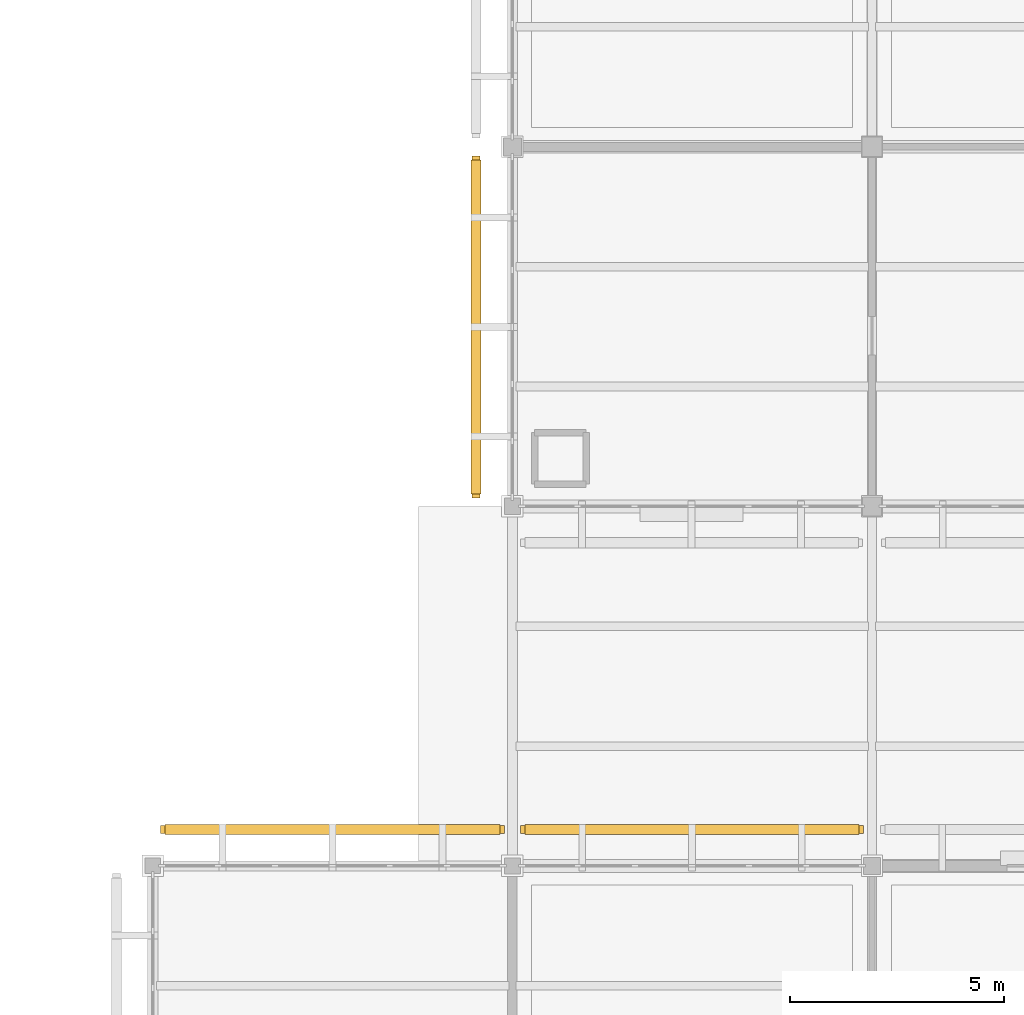
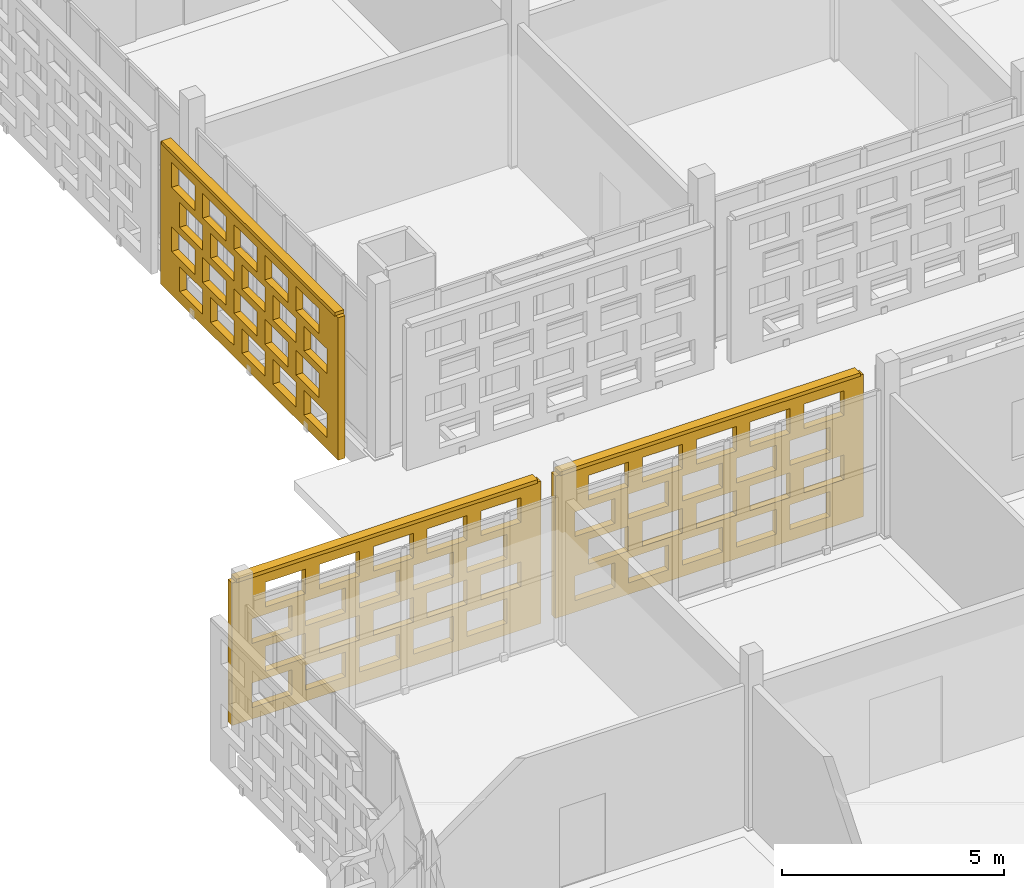
# One storey, part 189 of 203: 3 coverings, 3 shading devices, 60 openings.
"""IFC4 building model written with IfcOpenShell, lengths in metres."""

from ifc_helpers import new_model, si_unit, direction, frame, frame_2d, origin, origin_2d, place, context, subcontext, project, spatial, rectangle, extrude, material, layer, layer_set, type_object, element, save


model = new_model("IFC4")

# Units and contexts
model_context = context("Model", 3, precision=1e-05, world=origin(), true_north=direction((0.0, 1.0)))
body_context = subcontext(model_context, "Body", "Model", "MODEL_VIEW")
ifc_project = project(units=[si_unit("LENGTHUNIT", "METRE"), si_unit("AREAUNIT", "SQUARE_METRE"), si_unit("VOLUMEUNIT", "CUBIC_METRE"), si_unit("PLANEANGLEUNIT", "RADIAN"), si_unit("MASSUNIT", "GRAM", prefix="KILO")], contexts=[model_context])

# Site, building, storey
site_placement = place(None, origin())
site = spatial("IfcSite", under=ifc_project, at=site_placement, CompositionType="ELEMENT")
building_placement = place(site_placement, origin())
building = spatial("IfcBuilding", under=site, at=building_placement, Name="Varnapada Polytechnic", CompositionType="ELEMENT")
storey_placement = place(building_placement, frame((0.0, 0.0, 4.800048828125)))
storey = spatial("IfcBuildingStorey", under=building, at=storey_placement, Name="L01", CompositionType="ELEMENT", Elevation=4.800048828125)

# Covering, openings
ifc_material = material(Name="Earth-toned architectural terracotta screen block", Category="masonry")
ifc_layer_1 = layer(ifc_material, 0.1201171875)
ifc_layer_set_1 = layer_set([ifc_layer_1], Name="Earth-toned architectural terracotta screen block")
covering_type = type_object("IfcCoveringType", Name="Terracotta Screen Cladding CLD-01", PredefinedType="CLADDING", material=ifc_layer_set_1)
covering_1_placement = place(storey_placement, frame((126.179931640625, 51.25, 0.0), z_axis=(0.0, 0.0, 1.0), x_axis=(1.0, 0.0, 0.0)))
covering_1 = element("IfcCovering", 1, at=covering_1_placement, inside=storey, type_object=covering_type, Name="L01 perforated terracotta block screen (105)", PredefinedType="CLADDING", context=body_context, shape_type="SweptSolid", body=[
    extrude(rectangle(XDim=8.030029296875, YDim=0.179931640625, at=frame_2d((4.01513671875, 0.0))), origin(), (0.0, 0.0, 1.0), 3.919921875),
])
opening_1_placement = place(covering_1_placement, frame((0.514892578125, 0.0, 0.313720703125)))
element("IfcOpeningElement", 2, at=opening_1_placement, cuts=covering_1, Name="Screen perforation TBS-L01-104.1", PredefinedType="OPENING", context=body_context, shape_type="SweptSolid", body=[
    extrude(rectangle(XDim=1.0400390625, YDim=0.679931640625, at=frame_2d((0.52001953125, 0.33984375))), frame((0.0, 0.099853515625, 0.0), z_axis=(0.0, -1.0, 0.0), x_axis=(1.0, 0.0, 0.0)), (0.0, 0.0, 1.0), 0.199951171875),
])
opening_2_placement = place(covering_1_placement, frame((1.9150390625, 0.0, 0.313720703125)))
element("IfcOpeningElement", 3, at=opening_2_placement, cuts=covering_1, Name="Screen perforation TBS-L01-104.2", PredefinedType="OPENING", context=body_context, shape_type="SweptSolid", body=[
    extrude(rectangle(XDim=1.0400390625, YDim=0.679931640625, at=frame_2d((0.52001953125, 0.33984375))), frame((0.0, 0.099853515625, 0.0), z_axis=(0.0, -1.0, 0.0), x_axis=(1.0, 0.0, 0.0)), (0.0, 0.0, 1.0), 0.199951171875),
])
opening_3_placement = place(covering_1_placement, frame((3.31494140625, 0.0, 0.313720703125)))
element("IfcOpeningElement", 4, at=opening_3_placement, cuts=covering_1, Name="Screen perforation TBS-L01-104.3", PredefinedType="OPENING", context=body_context, shape_type="SweptSolid", body=[
    extrude(rectangle(XDim=1.0400390625, YDim=0.679931640625, at=frame_2d((0.52001953125, 0.33984375))), frame((0.0, 0.099853515625, 0.0), z_axis=(0.0, -1.0, 0.0), x_axis=(1.0, 0.0, 0.0)), (0.0, 0.0, 1.0), 0.199951171875),
])
opening_4_placement = place(covering_1_placement, frame((4.715087890625, 0.0, 0.313720703125)))
element("IfcOpeningElement", 5, at=opening_4_placement, cuts=covering_1, Name="Screen perforation TBS-L01-104.4", PredefinedType="OPENING", context=body_context, shape_type="SweptSolid", body=[
    extrude(rectangle(XDim=1.0400390625, YDim=0.679931640625, at=frame_2d((0.52001953125, 0.33984375))), frame((0.0, 0.099853515625, 0.0), z_axis=(0.0, -1.0, 0.0), x_axis=(1.0, 0.0, 0.0)), (0.0, 0.0, 1.0), 0.199951171875),
])
opening_5_placement = place(covering_1_placement, frame((6.114990234375, 0.0, 0.313720703125)))
element("IfcOpeningElement", 6, at=opening_5_placement, cuts=covering_1, Name="Screen perforation TBS-L01-104.5", PredefinedType="OPENING", context=body_context, shape_type="SweptSolid", body=[
    extrude(rectangle(XDim=1.0400390625, YDim=0.679931640625, at=frame_2d((0.52001953125, 0.33984375))), frame((0.0, 0.099853515625, 0.0), z_axis=(0.0, -1.0, 0.0), x_axis=(1.0, 0.0, 0.0)), (0.0, 0.0, 1.0), 0.199951171875),
])
opening_6_placement = place(covering_1_placement, frame((0.875, 0.0, 1.195556640625)))
element("IfcOpeningElement", 7, at=opening_6_placement, cuts=covering_1, Name="Screen perforation TBS-L01-104.6", PredefinedType="OPENING", context=body_context, shape_type="SweptSolid", body=[
    extrude(rectangle(XDim=1.0400390625, YDim=0.679931640625, at=frame_2d((0.52001953125, 0.33984375))), frame((0.0, 0.099853515625, 0.0), z_axis=(0.0, -1.0, 0.0), x_axis=(1.0, 0.0, 0.0)), (0.0, 0.0, 1.0), 0.199951171875),
])
opening_7_placement = place(covering_1_placement, frame((2.27490234375, 0.0, 1.195556640625)))
element("IfcOpeningElement", 8, at=opening_7_placement, cuts=covering_1, Name="Screen perforation TBS-L01-104.7", PredefinedType="OPENING", context=body_context, shape_type="SweptSolid", body=[
    extrude(rectangle(XDim=1.0400390625, YDim=0.679931640625, at=frame_2d((0.52001953125, 0.33984375))), frame((0.0, 0.099853515625, 0.0), z_axis=(0.0, -1.0, 0.0), x_axis=(1.0, 0.0, 0.0)), (0.0, 0.0, 1.0), 0.199951171875),
])
opening_8_placement = place(covering_1_placement, frame((3.675048828125, 0.0, 1.195556640625)))
element("IfcOpeningElement", 9, at=opening_8_placement, cuts=covering_1, Name="Screen perforation TBS-L01-104.8", PredefinedType="OPENING", context=body_context, shape_type="SweptSolid", body=[
    extrude(rectangle(XDim=1.0400390625, YDim=0.679931640625, at=frame_2d((0.52001953125, 0.33984375))), frame((0.0, 0.099853515625, 0.0), z_axis=(0.0, -1.0, 0.0), x_axis=(1.0, 0.0, 0.0)), (0.0, 0.0, 1.0), 0.199951171875),
])
opening_9_placement = place(covering_1_placement, frame((5.074951171875, 0.0, 1.195556640625)))
element("IfcOpeningElement", 10, at=opening_9_placement, cuts=covering_1, Name="Screen perforation TBS-L01-104.9", PredefinedType="OPENING", context=body_context, shape_type="SweptSolid", body=[
    extrude(rectangle(XDim=1.0400390625, YDim=0.679931640625, at=frame_2d((0.52001953125, 0.33984375))), frame((0.0, 0.099853515625, 0.0), z_axis=(0.0, -1.0, 0.0), x_axis=(1.0, 0.0, 0.0)), (0.0, 0.0, 1.0), 0.199951171875),
])
opening_10_placement = place(covering_1_placement, frame((6.47509765625, 0.0, 1.195556640625)))
element("IfcOpeningElement", 11, at=opening_10_placement, cuts=covering_1, Name="Screen perforation TBS-L01-104.10", PredefinedType="OPENING", context=body_context, shape_type="SweptSolid", body=[
    extrude(rectangle(XDim=1.0400390625, YDim=0.679931640625, at=frame_2d((0.52001953125, 0.33984375))), frame((0.0, 0.099853515625, 0.0), z_axis=(0.0, -1.0, 0.0), x_axis=(1.0, 0.0, 0.0)), (0.0, 0.0, 1.0), 0.199951171875),
])
opening_11_placement = place(covering_1_placement, frame((0.514892578125, 0.0, 2.07763671875)))
element("IfcOpeningElement", 12, at=opening_11_placement, cuts=covering_1, Name="Screen perforation TBS-L01-104.11", PredefinedType="OPENING", context=body_context, shape_type="SweptSolid", body=[
    extrude(rectangle(XDim=1.0400390625, YDim=0.679931640625, at=frame_2d((0.52001953125, 0.33984375))), frame((0.0, 0.099853515625, 0.0), z_axis=(0.0, -1.0, 0.0), x_axis=(1.0, 0.0, 0.0)), (0.0, 0.0, 1.0), 0.199951171875),
])
opening_12_placement = place(covering_1_placement, frame((1.9150390625, 0.0, 2.07763671875)))
element("IfcOpeningElement", 13, at=opening_12_placement, cuts=covering_1, Name="Screen perforation TBS-L01-104.12", PredefinedType="OPENING", context=body_context, shape_type="SweptSolid", body=[
    extrude(rectangle(XDim=1.0400390625, YDim=0.679931640625, at=frame_2d((0.52001953125, 0.33984375))), frame((0.0, 0.099853515625, 0.0), z_axis=(0.0, -1.0, 0.0), x_axis=(1.0, 0.0, 0.0)), (0.0, 0.0, 1.0), 0.199951171875),
])
opening_13_placement = place(covering_1_placement, frame((3.31494140625, 0.0, 2.07763671875)))
element("IfcOpeningElement", 14, at=opening_13_placement, cuts=covering_1, Name="Screen perforation TBS-L01-104.13", PredefinedType="OPENING", context=body_context, shape_type="SweptSolid", body=[
    extrude(rectangle(XDim=1.0400390625, YDim=0.679931640625, at=frame_2d((0.52001953125, 0.33984375))), frame((0.0, 0.099853515625, 0.0), z_axis=(0.0, -1.0, 0.0), x_axis=(1.0, 0.0, 0.0)), (0.0, 0.0, 1.0), 0.199951171875),
])
opening_14_placement = place(covering_1_placement, frame((4.715087890625, 0.0, 2.07763671875)))
element("IfcOpeningElement", 15, at=opening_14_placement, cuts=covering_1, Name="Screen perforation TBS-L01-104.14", PredefinedType="OPENING", context=body_context, shape_type="SweptSolid", body=[
    extrude(rectangle(XDim=1.0400390625, YDim=0.679931640625, at=frame_2d((0.52001953125, 0.33984375))), frame((0.0, 0.099853515625, 0.0), z_axis=(0.0, -1.0, 0.0), x_axis=(1.0, 0.0, 0.0)), (0.0, 0.0, 1.0), 0.199951171875),
])
opening_15_placement = place(covering_1_placement, frame((6.114990234375, 0.0, 2.07763671875)))
element("IfcOpeningElement", 16, at=opening_15_placement, cuts=covering_1, Name="Screen perforation TBS-L01-104.15", PredefinedType="OPENING", context=body_context, shape_type="SweptSolid", body=[
    extrude(rectangle(XDim=1.0400390625, YDim=0.679931640625, at=frame_2d((0.52001953125, 0.33984375))), frame((0.0, 0.099853515625, 0.0), z_axis=(0.0, -1.0, 0.0), x_axis=(1.0, 0.0, 0.0)), (0.0, 0.0, 1.0), 0.199951171875),
])
opening_16_placement = place(covering_1_placement, frame((0.875, 0.0, 2.959716796875)))
element("IfcOpeningElement", 17, at=opening_16_placement, cuts=covering_1, Name="Screen perforation TBS-L01-104.16", PredefinedType="OPENING", context=body_context, shape_type="SweptSolid", body=[
    extrude(rectangle(XDim=1.0400390625, YDim=0.679931640625, at=frame_2d((0.52001953125, 0.33984375))), frame((0.0, 0.099853515625, 0.0), z_axis=(0.0, -1.0, 0.0), x_axis=(1.0, 0.0, 0.0)), (0.0, 0.0, 1.0), 0.199951171875),
])
opening_17_placement = place(covering_1_placement, frame((2.27490234375, 0.0, 2.959716796875)))
element("IfcOpeningElement", 18, at=opening_17_placement, cuts=covering_1, Name="Screen perforation TBS-L01-104.17", PredefinedType="OPENING", context=body_context, shape_type="SweptSolid", body=[
    extrude(rectangle(XDim=1.0400390625, YDim=0.679931640625, at=frame_2d((0.52001953125, 0.33984375))), frame((0.0, 0.099853515625, 0.0), z_axis=(0.0, -1.0, 0.0), x_axis=(1.0, 0.0, 0.0)), (0.0, 0.0, 1.0), 0.199951171875),
])
opening_18_placement = place(covering_1_placement, frame((3.675048828125, 0.0, 2.959716796875)))
element("IfcOpeningElement", 19, at=opening_18_placement, cuts=covering_1, Name="Screen perforation TBS-L01-104.18", PredefinedType="OPENING", context=body_context, shape_type="SweptSolid", body=[
    extrude(rectangle(XDim=1.0400390625, YDim=0.679931640625, at=frame_2d((0.52001953125, 0.33984375))), frame((0.0, 0.099853515625, 0.0), z_axis=(0.0, -1.0, 0.0), x_axis=(1.0, 0.0, 0.0)), (0.0, 0.0, 1.0), 0.199951171875),
])
opening_19_placement = place(covering_1_placement, frame((5.074951171875, 0.0, 2.959716796875)))
element("IfcOpeningElement", 20, at=opening_19_placement, cuts=covering_1, Name="Screen perforation TBS-L01-104.19", PredefinedType="OPENING", context=body_context, shape_type="SweptSolid", body=[
    extrude(rectangle(XDim=1.0400390625, YDim=0.679931640625, at=frame_2d((0.52001953125, 0.33984375))), frame((0.0, 0.099853515625, 0.0), z_axis=(0.0, -1.0, 0.0), x_axis=(1.0, 0.0, 0.0)), (0.0, 0.0, 1.0), 0.199951171875),
])
opening_20_placement = place(covering_1_placement, frame((6.47509765625, 0.0, 2.959716796875)))
element("IfcOpeningElement", 21, at=opening_20_placement, cuts=covering_1, Name="Screen perforation TBS-L01-104.20", PredefinedType="OPENING", context=body_context, shape_type="SweptSolid", body=[
    extrude(rectangle(XDim=1.0400390625, YDim=0.679931640625, at=frame_2d((0.52001953125, 0.33984375))), frame((0.0, 0.099853515625, 0.0), z_axis=(0.0, -1.0, 0.0), x_axis=(1.0, 0.0, 0.0)), (0.0, 0.0, 1.0), 0.199951171875),
])

covering_2_placement = place(storey_placement, frame((134.590087890625, 51.25, 0.0), z_axis=(0.0, 0.0, 1.0), x_axis=(1.0, 0.0, 0.0)))
covering_2 = element("IfcCovering", 22, at=covering_2_placement, inside=storey, type_object=covering_type, Name="L01 perforated terracotta block screen (114)", PredefinedType="CLADDING", context=body_context, shape_type="SweptSolid", body=[
    extrude(rectangle(XDim=8.010009765625, YDim=0.179931640625, at=frame_2d((4.0048828125, 0.0))), origin(), (0.0, 0.0, 1.0), 3.919921875),
])
opening_21_placement = place(covering_2_placement, frame((0.5048828125, 0.0, 0.313720703125)))
element("IfcOpeningElement", 23, at=opening_21_placement, cuts=covering_2, Name="Screen perforation TBS-L01-113.1", PredefinedType="OPENING", context=body_context, shape_type="SweptSolid", body=[
    extrude(rectangle(XDim=1.0400390625, YDim=0.679931640625, at=frame_2d((0.52001953125, 0.33984375))), frame((0.0, 0.099853515625, 0.0), z_axis=(0.0, -1.0, 0.0), x_axis=(1.0, 0.0, 0.0)), (0.0, 0.0, 1.0), 0.199951171875),
])
opening_22_placement = place(covering_2_placement, frame((1.905029296875, 0.0, 0.313720703125)))
element("IfcOpeningElement", 24, at=opening_22_placement, cuts=covering_2, Name="Screen perforation TBS-L01-113.2", PredefinedType="OPENING", context=body_context, shape_type="SweptSolid", body=[
    extrude(rectangle(XDim=1.0400390625, YDim=0.679931640625, at=frame_2d((0.52001953125, 0.33984375))), frame((0.0, 0.099853515625, 0.0), z_axis=(0.0, -1.0, 0.0), x_axis=(1.0, 0.0, 0.0)), (0.0, 0.0, 1.0), 0.199951171875),
])
opening_23_placement = place(covering_2_placement, frame((3.304931640625, 0.0, 0.313720703125)))
element("IfcOpeningElement", 25, at=opening_23_placement, cuts=covering_2, Name="Screen perforation TBS-L01-113.3", PredefinedType="OPENING", context=body_context, shape_type="SweptSolid", body=[
    extrude(rectangle(XDim=1.0400390625, YDim=0.679931640625, at=frame_2d((0.52001953125, 0.33984375))), frame((0.0, 0.099853515625, 0.0), z_axis=(0.0, -1.0, 0.0), x_axis=(1.0, 0.0, 0.0)), (0.0, 0.0, 1.0), 0.199951171875),
])
opening_24_placement = place(covering_2_placement, frame((4.705078125, 0.0, 0.313720703125)))
element("IfcOpeningElement", 26, at=opening_24_placement, cuts=covering_2, Name="Screen perforation TBS-L01-113.4", PredefinedType="OPENING", context=body_context, shape_type="SweptSolid", body=[
    extrude(rectangle(XDim=1.0400390625, YDim=0.679931640625, at=frame_2d((0.52001953125, 0.33984375))), frame((0.0, 0.099853515625, 0.0), z_axis=(0.0, -1.0, 0.0), x_axis=(1.0, 0.0, 0.0)), (0.0, 0.0, 1.0), 0.199951171875),
])
opening_25_placement = place(covering_2_placement, frame((6.10498046875, 0.0, 0.313720703125)))
element("IfcOpeningElement", 27, at=opening_25_placement, cuts=covering_2, Name="Screen perforation TBS-L01-113.5", PredefinedType="OPENING", context=body_context, shape_type="SweptSolid", body=[
    extrude(rectangle(XDim=1.0400390625, YDim=0.679931640625, at=frame_2d((0.52001953125, 0.33984375))), frame((0.0, 0.099853515625, 0.0), z_axis=(0.0, -1.0, 0.0), x_axis=(1.0, 0.0, 0.0)), (0.0, 0.0, 1.0), 0.199951171875),
])
opening_26_placement = place(covering_2_placement, frame((0.864990234375, 0.0, 1.195556640625)))
element("IfcOpeningElement", 28, at=opening_26_placement, cuts=covering_2, Name="Screen perforation TBS-L01-113.6", PredefinedType="OPENING", context=body_context, shape_type="SweptSolid", body=[
    extrude(rectangle(XDim=1.0400390625, YDim=0.679931640625, at=frame_2d((0.52001953125, 0.33984375))), frame((0.0, 0.099853515625, 0.0), z_axis=(0.0, -1.0, 0.0), x_axis=(1.0, 0.0, 0.0)), (0.0, 0.0, 1.0), 0.199951171875),
])
opening_27_placement = place(covering_2_placement, frame((2.264892578125, 0.0, 1.195556640625)))
element("IfcOpeningElement", 29, at=opening_27_placement, cuts=covering_2, Name="Screen perforation TBS-L01-113.7", PredefinedType="OPENING", context=body_context, shape_type="SweptSolid", body=[
    extrude(rectangle(XDim=1.0400390625, YDim=0.679931640625, at=frame_2d((0.52001953125, 0.33984375))), frame((0.0, 0.099853515625, 0.0), z_axis=(0.0, -1.0, 0.0), x_axis=(1.0, 0.0, 0.0)), (0.0, 0.0, 1.0), 0.199951171875),
])
opening_28_placement = place(covering_2_placement, frame((3.6650390625, 0.0, 1.195556640625)))
element("IfcOpeningElement", 30, at=opening_28_placement, cuts=covering_2, Name="Screen perforation TBS-L01-113.8", PredefinedType="OPENING", context=body_context, shape_type="SweptSolid", body=[
    extrude(rectangle(XDim=1.0400390625, YDim=0.679931640625, at=frame_2d((0.52001953125, 0.33984375))), frame((0.0, 0.099853515625, 0.0), z_axis=(0.0, -1.0, 0.0), x_axis=(1.0, 0.0, 0.0)), (0.0, 0.0, 1.0), 0.199951171875),
])
opening_29_placement = place(covering_2_placement, frame((5.06494140625, 0.0, 1.195556640625)))
element("IfcOpeningElement", 31, at=opening_29_placement, cuts=covering_2, Name="Screen perforation TBS-L01-113.9", PredefinedType="OPENING", context=body_context, shape_type="SweptSolid", body=[
    extrude(rectangle(XDim=1.0400390625, YDim=0.679931640625, at=frame_2d((0.52001953125, 0.33984375))), frame((0.0, 0.099853515625, 0.0), z_axis=(0.0, -1.0, 0.0), x_axis=(1.0, 0.0, 0.0)), (0.0, 0.0, 1.0), 0.199951171875),
])
opening_30_placement = place(covering_2_placement, frame((6.465087890625, 0.0, 1.195556640625)))
element("IfcOpeningElement", 32, at=opening_30_placement, cuts=covering_2, Name="Screen perforation TBS-L01-113.10", PredefinedType="OPENING", context=body_context, shape_type="SweptSolid", body=[
    extrude(rectangle(XDim=1.0400390625, YDim=0.679931640625, at=frame_2d((0.52001953125, 0.33984375))), frame((0.0, 0.099853515625, 0.0), z_axis=(0.0, -1.0, 0.0), x_axis=(1.0, 0.0, 0.0)), (0.0, 0.0, 1.0), 0.199951171875),
])
opening_31_placement = place(covering_2_placement, frame((0.5048828125, 0.0, 2.07763671875)))
element("IfcOpeningElement", 33, at=opening_31_placement, cuts=covering_2, Name="Screen perforation TBS-L01-113.11", PredefinedType="OPENING", context=body_context, shape_type="SweptSolid", body=[
    extrude(rectangle(XDim=1.0400390625, YDim=0.679931640625, at=frame_2d((0.52001953125, 0.33984375))), frame((0.0, 0.099853515625, 0.0), z_axis=(0.0, -1.0, 0.0), x_axis=(1.0, 0.0, 0.0)), (0.0, 0.0, 1.0), 0.199951171875),
])
opening_32_placement = place(covering_2_placement, frame((1.905029296875, 0.0, 2.07763671875)))
element("IfcOpeningElement", 34, at=opening_32_placement, cuts=covering_2, Name="Screen perforation TBS-L01-113.12", PredefinedType="OPENING", context=body_context, shape_type="SweptSolid", body=[
    extrude(rectangle(XDim=1.0400390625, YDim=0.679931640625, at=frame_2d((0.52001953125, 0.33984375))), frame((0.0, 0.099853515625, 0.0), z_axis=(0.0, -1.0, 0.0), x_axis=(1.0, 0.0, 0.0)), (0.0, 0.0, 1.0), 0.199951171875),
])
opening_33_placement = place(covering_2_placement, frame((3.304931640625, 0.0, 2.07763671875)))
element("IfcOpeningElement", 35, at=opening_33_placement, cuts=covering_2, Name="Screen perforation TBS-L01-113.13", PredefinedType="OPENING", context=body_context, shape_type="SweptSolid", body=[
    extrude(rectangle(XDim=1.0400390625, YDim=0.679931640625, at=frame_2d((0.52001953125, 0.33984375))), frame((0.0, 0.099853515625, 0.0), z_axis=(0.0, -1.0, 0.0), x_axis=(1.0, 0.0, 0.0)), (0.0, 0.0, 1.0), 0.199951171875),
])
opening_34_placement = place(covering_2_placement, frame((4.705078125, 0.0, 2.07763671875)))
element("IfcOpeningElement", 36, at=opening_34_placement, cuts=covering_2, Name="Screen perforation TBS-L01-113.14", PredefinedType="OPENING", context=body_context, shape_type="SweptSolid", body=[
    extrude(rectangle(XDim=1.0400390625, YDim=0.679931640625, at=frame_2d((0.52001953125, 0.33984375))), frame((0.0, 0.099853515625, 0.0), z_axis=(0.0, -1.0, 0.0), x_axis=(1.0, 0.0, 0.0)), (0.0, 0.0, 1.0), 0.199951171875),
])
opening_35_placement = place(covering_2_placement, frame((6.10498046875, 0.0, 2.07763671875)))
element("IfcOpeningElement", 37, at=opening_35_placement, cuts=covering_2, Name="Screen perforation TBS-L01-113.15", PredefinedType="OPENING", context=body_context, shape_type="SweptSolid", body=[
    extrude(rectangle(XDim=1.0400390625, YDim=0.679931640625, at=frame_2d((0.52001953125, 0.33984375))), frame((0.0, 0.099853515625, 0.0), z_axis=(0.0, -1.0, 0.0), x_axis=(1.0, 0.0, 0.0)), (0.0, 0.0, 1.0), 0.199951171875),
])
opening_36_placement = place(covering_2_placement, frame((0.864990234375, 0.0, 2.959716796875)))
element("IfcOpeningElement", 38, at=opening_36_placement, cuts=covering_2, Name="Screen perforation TBS-L01-113.16", PredefinedType="OPENING", context=body_context, shape_type="SweptSolid", body=[
    extrude(rectangle(XDim=1.0400390625, YDim=0.679931640625, at=frame_2d((0.52001953125, 0.33984375))), frame((0.0, 0.099853515625, 0.0), z_axis=(0.0, -1.0, 0.0), x_axis=(1.0, 0.0, 0.0)), (0.0, 0.0, 1.0), 0.199951171875),
])
opening_37_placement = place(covering_2_placement, frame((2.264892578125, 0.0, 2.959716796875)))
element("IfcOpeningElement", 39, at=opening_37_placement, cuts=covering_2, Name="Screen perforation TBS-L01-113.17", PredefinedType="OPENING", context=body_context, shape_type="SweptSolid", body=[
    extrude(rectangle(XDim=1.0400390625, YDim=0.679931640625, at=frame_2d((0.52001953125, 0.33984375))), frame((0.0, 0.099853515625, 0.0), z_axis=(0.0, -1.0, 0.0), x_axis=(1.0, 0.0, 0.0)), (0.0, 0.0, 1.0), 0.199951171875),
])
opening_38_placement = place(covering_2_placement, frame((3.6650390625, 0.0, 2.959716796875)))
element("IfcOpeningElement", 40, at=opening_38_placement, cuts=covering_2, Name="Screen perforation TBS-L01-113.18", PredefinedType="OPENING", context=body_context, shape_type="SweptSolid", body=[
    extrude(rectangle(XDim=1.0400390625, YDim=0.679931640625, at=frame_2d((0.52001953125, 0.33984375))), frame((0.0, 0.099853515625, 0.0), z_axis=(0.0, -1.0, 0.0), x_axis=(1.0, 0.0, 0.0)), (0.0, 0.0, 1.0), 0.199951171875),
])
opening_39_placement = place(covering_2_placement, frame((5.06494140625, 0.0, 2.959716796875)))
element("IfcOpeningElement", 41, at=opening_39_placement, cuts=covering_2, Name="Screen perforation TBS-L01-113.19", PredefinedType="OPENING", context=body_context, shape_type="SweptSolid", body=[
    extrude(rectangle(XDim=1.0400390625, YDim=0.679931640625, at=frame_2d((0.52001953125, 0.33984375))), frame((0.0, 0.099853515625, 0.0), z_axis=(0.0, -1.0, 0.0), x_axis=(1.0, 0.0, 0.0)), (0.0, 0.0, 1.0), 0.199951171875),
])
opening_40_placement = place(covering_2_placement, frame((6.465087890625, 0.0, 2.959716796875)))
element("IfcOpeningElement", 42, at=opening_40_placement, cuts=covering_2, Name="Screen perforation TBS-L01-113.20", PredefinedType="OPENING", context=body_context, shape_type="SweptSolid", body=[
    extrude(rectangle(XDim=1.0400390625, YDim=0.679931640625, at=frame_2d((0.52001953125, 0.33984375))), frame((0.0, 0.099853515625, 0.0), z_axis=(0.0, -1.0, 0.0), x_axis=(1.0, 0.0, 0.0)), (0.0, 0.0, 1.0), 0.199951171875),
])

covering_3_placement = place(storey_placement, frame((133.550048828125, 58.989990234375, 0.0), z_axis=(0.0, 0.0, 1.0), x_axis=(0.0, 1.0, 0.0)))
covering_3 = element("IfcCovering", 43, at=covering_3_placement, inside=storey, type_object=covering_type, Name="L01 perforated terracotta block screen (116)", PredefinedType="CLADDING", context=body_context, shape_type="SweptSolid", body=[
    extrude(rectangle(XDim=8.0, YDim=0.179931640625, at=frame_2d((4.0, 0.0))), origin(), (0.0, 0.0, 1.0), 3.919921875),
])
opening_41_placement = place(covering_3_placement, frame((0.5, 0.0, 0.313720703125)))
element("IfcOpeningElement", 44, at=opening_41_placement, cuts=covering_3, Name="Screen perforation TBS-L01-115.1", PredefinedType="OPENING", context=body_context, shape_type="SweptSolid", body=[
    extrude(rectangle(XDim=1.0400390625, YDim=0.679931640625, at=frame_2d((0.52001953125, 0.33984375))), frame((0.0, 0.099853515625, 0.0), z_axis=(0.0, -1.0, 0.0), x_axis=(1.0, 0.0, 0.0)), (0.0, 0.0, 1.0), 0.199951171875),
])
opening_42_placement = place(covering_3_placement, frame((1.89990234375, 0.0, 0.313720703125)))
element("IfcOpeningElement", 45, at=opening_42_placement, cuts=covering_3, Name="Screen perforation TBS-L01-115.2", PredefinedType="OPENING", context=body_context, shape_type="SweptSolid", body=[
    extrude(rectangle(XDim=1.0400390625, YDim=0.679931640625, at=frame_2d((0.52001953125, 0.33984375))), frame((0.0, 0.099853515625, 0.0), z_axis=(0.0, -1.0, 0.0), x_axis=(1.0, 0.0, 0.0)), (0.0, 0.0, 1.0), 0.199951171875),
])
opening_43_placement = place(covering_3_placement, frame((3.300048828125, 0.0, 0.313720703125)))
element("IfcOpeningElement", 46, at=opening_43_placement, cuts=covering_3, Name="Screen perforation TBS-L01-115.3", PredefinedType="OPENING", context=body_context, shape_type="SweptSolid", body=[
    extrude(rectangle(XDim=1.0400390625, YDim=0.679931640625, at=frame_2d((0.52001953125, 0.33984375))), frame((0.0, 0.099853515625, 0.0), z_axis=(0.0, -1.0, 0.0), x_axis=(1.0, 0.0, 0.0)), (0.0, 0.0, 1.0), 0.199951171875),
])
opening_44_placement = place(covering_3_placement, frame((4.699951171875, 0.0, 0.313720703125)))
element("IfcOpeningElement", 47, at=opening_44_placement, cuts=covering_3, Name="Screen perforation TBS-L01-115.4", PredefinedType="OPENING", context=body_context, shape_type="SweptSolid", body=[
    extrude(rectangle(XDim=1.0400390625, YDim=0.679931640625, at=frame_2d((0.52001953125, 0.33984375))), frame((0.0, 0.099853515625, 0.0), z_axis=(0.0, -1.0, 0.0), x_axis=(1.0, 0.0, 0.0)), (0.0, 0.0, 1.0), 0.199951171875),
])
opening_45_placement = place(covering_3_placement, frame((6.10009765625, 0.0, 0.313720703125)))
element("IfcOpeningElement", 48, at=opening_45_placement, cuts=covering_3, Name="Screen perforation TBS-L01-115.5", PredefinedType="OPENING", context=body_context, shape_type="SweptSolid", body=[
    extrude(rectangle(XDim=1.0400390625, YDim=0.679931640625, at=frame_2d((0.52001953125, 0.33984375))), frame((0.0, 0.099853515625, 0.0), z_axis=(0.0, -1.0, 0.0), x_axis=(1.0, 0.0, 0.0)), (0.0, 0.0, 1.0), 0.199951171875),
])
opening_46_placement = place(covering_3_placement, frame((0.860107421875, 0.0, 1.195556640625)))
element("IfcOpeningElement", 49, at=opening_46_placement, cuts=covering_3, Name="Screen perforation TBS-L01-115.6", PredefinedType="OPENING", context=body_context, shape_type="SweptSolid", body=[
    extrude(rectangle(XDim=1.0400390625, YDim=0.679931640625, at=frame_2d((0.52001953125, 0.33984375))), frame((0.0, 0.099853515625, 0.0), z_axis=(0.0, -1.0, 0.0), x_axis=(1.0, 0.0, 0.0)), (0.0, 0.0, 1.0), 0.199951171875),
])
opening_47_placement = place(covering_3_placement, frame((2.260009765625, 0.0, 1.195556640625)))
element("IfcOpeningElement", 50, at=opening_47_placement, cuts=covering_3, Name="Screen perforation TBS-L01-115.7", PredefinedType="OPENING", context=body_context, shape_type="SweptSolid", body=[
    extrude(rectangle(XDim=1.0400390625, YDim=0.679931640625, at=frame_2d((0.52001953125, 0.33984375))), frame((0.0, 0.099853515625, 0.0), z_axis=(0.0, -1.0, 0.0), x_axis=(1.0, 0.0, 0.0)), (0.0, 0.0, 1.0), 0.199951171875),
])
opening_48_placement = place(covering_3_placement, frame((3.659912109375, 0.0, 1.195556640625)))
element("IfcOpeningElement", 51, at=opening_48_placement, cuts=covering_3, Name="Screen perforation TBS-L01-115.8", PredefinedType="OPENING", context=body_context, shape_type="SweptSolid", body=[
    extrude(rectangle(XDim=1.0400390625, YDim=0.679931640625, at=frame_2d((0.52001953125, 0.33984375))), frame((0.0, 0.099853515625, 0.0), z_axis=(0.0, -1.0, 0.0), x_axis=(1.0, 0.0, 0.0)), (0.0, 0.0, 1.0), 0.199951171875),
])
opening_49_placement = place(covering_3_placement, frame((5.06005859375, 0.0, 1.195556640625)))
element("IfcOpeningElement", 52, at=opening_49_placement, cuts=covering_3, Name="Screen perforation TBS-L01-115.9", PredefinedType="OPENING", context=body_context, shape_type="SweptSolid", body=[
    extrude(rectangle(XDim=1.0400390625, YDim=0.679931640625, at=frame_2d((0.52001953125, 0.33984375))), frame((0.0, 0.099853515625, 0.0), z_axis=(0.0, -1.0, 0.0), x_axis=(1.0, 0.0, 0.0)), (0.0, 0.0, 1.0), 0.199951171875),
])
opening_50_placement = place(covering_3_placement, frame((6.4599609375, 0.0, 1.195556640625)))
element("IfcOpeningElement", 53, at=opening_50_placement, cuts=covering_3, Name="Screen perforation TBS-L01-115.10", PredefinedType="OPENING", context=body_context, shape_type="SweptSolid", body=[
    extrude(rectangle(XDim=1.0400390625, YDim=0.679931640625, at=frame_2d((0.52001953125, 0.33984375))), frame((0.0, 0.099853515625, 0.0), z_axis=(0.0, -1.0, 0.0), x_axis=(1.0, 0.0, 0.0)), (0.0, 0.0, 1.0), 0.199951171875),
])
opening_51_placement = place(covering_3_placement, frame((0.5, 0.0, 2.07763671875)))
element("IfcOpeningElement", 54, at=opening_51_placement, cuts=covering_3, Name="Screen perforation TBS-L01-115.11", PredefinedType="OPENING", context=body_context, shape_type="SweptSolid", body=[
    extrude(rectangle(XDim=1.0400390625, YDim=0.679931640625, at=frame_2d((0.52001953125, 0.33984375))), frame((0.0, 0.099853515625, 0.0), z_axis=(0.0, -1.0, 0.0), x_axis=(1.0, 0.0, 0.0)), (0.0, 0.0, 1.0), 0.199951171875),
])
opening_52_placement = place(covering_3_placement, frame((1.89990234375, 0.0, 2.07763671875)))
element("IfcOpeningElement", 55, at=opening_52_placement, cuts=covering_3, Name="Screen perforation TBS-L01-115.12", PredefinedType="OPENING", context=body_context, shape_type="SweptSolid", body=[
    extrude(rectangle(XDim=1.0400390625, YDim=0.679931640625, at=frame_2d((0.52001953125, 0.33984375))), frame((0.0, 0.099853515625, 0.0), z_axis=(0.0, -1.0, 0.0), x_axis=(1.0, 0.0, 0.0)), (0.0, 0.0, 1.0), 0.199951171875),
])
opening_53_placement = place(covering_3_placement, frame((3.300048828125, 0.0, 2.07763671875)))
element("IfcOpeningElement", 56, at=opening_53_placement, cuts=covering_3, Name="Screen perforation TBS-L01-115.13", PredefinedType="OPENING", context=body_context, shape_type="SweptSolid", body=[
    extrude(rectangle(XDim=1.0400390625, YDim=0.679931640625, at=frame_2d((0.52001953125, 0.33984375))), frame((0.0, 0.099853515625, 0.0), z_axis=(0.0, -1.0, 0.0), x_axis=(1.0, 0.0, 0.0)), (0.0, 0.0, 1.0), 0.199951171875),
])
opening_54_placement = place(covering_3_placement, frame((4.699951171875, 0.0, 2.07763671875)))
element("IfcOpeningElement", 57, at=opening_54_placement, cuts=covering_3, Name="Screen perforation TBS-L01-115.14", PredefinedType="OPENING", context=body_context, shape_type="SweptSolid", body=[
    extrude(rectangle(XDim=1.0400390625, YDim=0.679931640625, at=frame_2d((0.52001953125, 0.33984375))), frame((0.0, 0.099853515625, 0.0), z_axis=(0.0, -1.0, 0.0), x_axis=(1.0, 0.0, 0.0)), (0.0, 0.0, 1.0), 0.199951171875),
])
opening_55_placement = place(covering_3_placement, frame((6.10009765625, 0.0, 2.07763671875)))
element("IfcOpeningElement", 58, at=opening_55_placement, cuts=covering_3, Name="Screen perforation TBS-L01-115.15", PredefinedType="OPENING", context=body_context, shape_type="SweptSolid", body=[
    extrude(rectangle(XDim=1.0400390625, YDim=0.679931640625, at=frame_2d((0.52001953125, 0.33984375))), frame((0.0, 0.099853515625, 0.0), z_axis=(0.0, -1.0, 0.0), x_axis=(1.0, 0.0, 0.0)), (0.0, 0.0, 1.0), 0.199951171875),
])
opening_56_placement = place(covering_3_placement, frame((0.860107421875, 0.0, 2.959716796875)))
element("IfcOpeningElement", 59, at=opening_56_placement, cuts=covering_3, Name="Screen perforation TBS-L01-115.16", PredefinedType="OPENING", context=body_context, shape_type="SweptSolid", body=[
    extrude(rectangle(XDim=1.0400390625, YDim=0.679931640625, at=frame_2d((0.52001953125, 0.33984375))), frame((0.0, 0.099853515625, 0.0), z_axis=(0.0, -1.0, 0.0), x_axis=(1.0, 0.0, 0.0)), (0.0, 0.0, 1.0), 0.199951171875),
])
opening_57_placement = place(covering_3_placement, frame((2.260009765625, 0.0, 2.959716796875)))
element("IfcOpeningElement", 60, at=opening_57_placement, cuts=covering_3, Name="Screen perforation TBS-L01-115.17", PredefinedType="OPENING", context=body_context, shape_type="SweptSolid", body=[
    extrude(rectangle(XDim=1.0400390625, YDim=0.679931640625, at=frame_2d((0.52001953125, 0.33984375))), frame((0.0, 0.099853515625, 0.0), z_axis=(0.0, -1.0, 0.0), x_axis=(1.0, 0.0, 0.0)), (0.0, 0.0, 1.0), 0.199951171875),
])
opening_58_placement = place(covering_3_placement, frame((3.659912109375, 0.0, 2.959716796875)))
element("IfcOpeningElement", 61, at=opening_58_placement, cuts=covering_3, Name="Screen perforation TBS-L01-115.18", PredefinedType="OPENING", context=body_context, shape_type="SweptSolid", body=[
    extrude(rectangle(XDim=1.0400390625, YDim=0.679931640625, at=frame_2d((0.52001953125, 0.33984375))), frame((0.0, 0.099853515625, 0.0), z_axis=(0.0, -1.0, 0.0), x_axis=(1.0, 0.0, 0.0)), (0.0, 0.0, 1.0), 0.199951171875),
])
opening_59_placement = place(covering_3_placement, frame((5.06005859375, 0.0, 2.959716796875)))
element("IfcOpeningElement", 62, at=opening_59_placement, cuts=covering_3, Name="Screen perforation TBS-L01-115.19", PredefinedType="OPENING", context=body_context, shape_type="SweptSolid", body=[
    extrude(rectangle(XDim=1.0400390625, YDim=0.679931640625, at=frame_2d((0.52001953125, 0.33984375))), frame((0.0, 0.099853515625, 0.0), z_axis=(0.0, -1.0, 0.0), x_axis=(1.0, 0.0, 0.0)), (0.0, 0.0, 1.0), 0.199951171875),
])
opening_60_placement = place(covering_3_placement, frame((6.4599609375, 0.0, 2.959716796875)))
element("IfcOpeningElement", 63, at=opening_60_placement, cuts=covering_3, Name="Screen perforation TBS-L01-115.20", PredefinedType="OPENING", context=body_context, shape_type="SweptSolid", body=[
    extrude(rectangle(XDim=1.0400390625, YDim=0.679931640625, at=frame_2d((0.52001953125, 0.33984375))), frame((0.0, 0.099853515625, 0.0), z_axis=(0.0, -1.0, 0.0), x_axis=(1.0, 0.0, 0.0)), (0.0, 0.0, 1.0), 0.199951171875),
])

# Shading devices
ifc_layer_2 = layer(ifc_material, 0.179931640625)
ifc_layer_set_2 = layer_set([ifc_layer_2], Name="Earth-toned architectural terracotta screen block")
shading_device_type = type_object("IfcShadingDeviceType", Name="Terracotta Screen SCR-02", PredefinedType="USERDEFINED", material=ifc_layer_set_2)
shading_device_1_placement = place(storey_placement, frame((130.195068359375, 51.25, 3.909912109375), z_axis=(0.0, 0.0, 1.0), x_axis=(1.0, 0.0, 0.0)))
element("IfcShadingDevice", 64, at=shading_device_1_placement, inside=storey, type_object=shading_device_type, Name="L01 perforated terracotta screen hood 184", ObjectType="SCREEN", PredefinedType="USERDEFINED", context=body_context, shape_type="SweptSolid", body=[
    extrude(rectangle(XDim=7.830078125, YDim=0.239990234375, at=origin_2d()), origin(), (0.0, 0.0, 1.0), 0.10009765625),
])
shading_device_2_placement = place(storey_placement, frame((138.594970703125, 51.25, 3.909912109375), z_axis=(0.0, 0.0, 1.0), x_axis=(1.0, 0.0, 0.0)))
element("IfcShadingDevice", 65, at=shading_device_2_placement, inside=storey, type_object=shading_device_type, Name="L01 perforated terracotta screen hood 192", ObjectType="SCREEN", PredefinedType="USERDEFINED", context=body_context, shape_type="SweptSolid", body=[
    extrude(rectangle(XDim=7.81005859375, YDim=0.239990234375, at=origin_2d()), origin(), (0.0, 0.0, 1.0), 0.10009765625),
])
shading_device_3_placement = place(storey_placement, frame((133.550048828125, 62.989990234375, 3.909912109375), z_axis=(0.0, 0.0, 1.0), x_axis=(0.0, 1.0, 0.0)))
element("IfcShadingDevice", 66, at=shading_device_3_placement, inside=storey, type_object=shading_device_type, Name="L01 perforated terracotta screen hood 194", ObjectType="SCREEN", PredefinedType="USERDEFINED", context=body_context, shape_type="SweptSolid", body=[
    extrude(rectangle(XDim=7.800048828125, YDim=0.239990234375, at=origin_2d()), origin(), (0.0, 0.0, 1.0), 0.10009765625),
])

save(model, "model.ifc")
